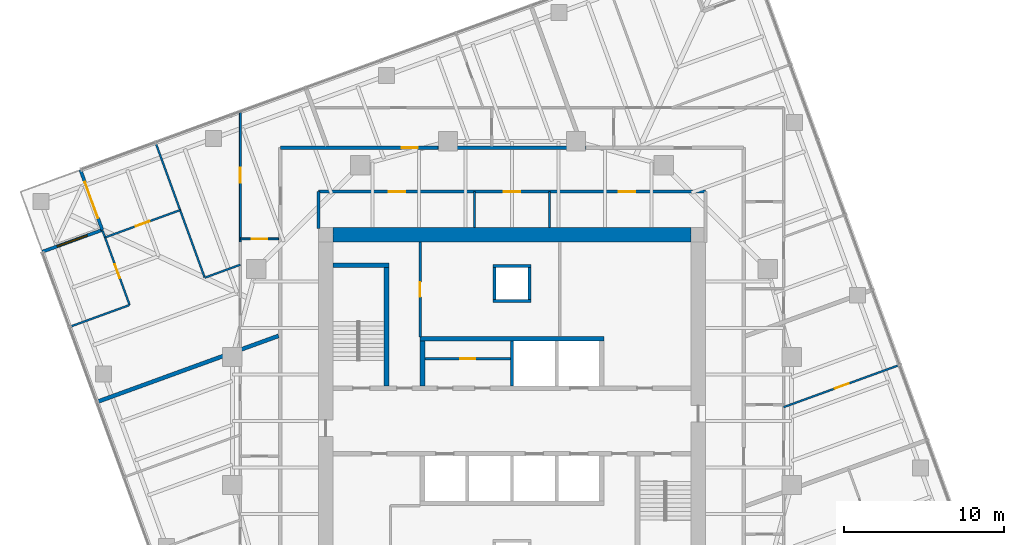
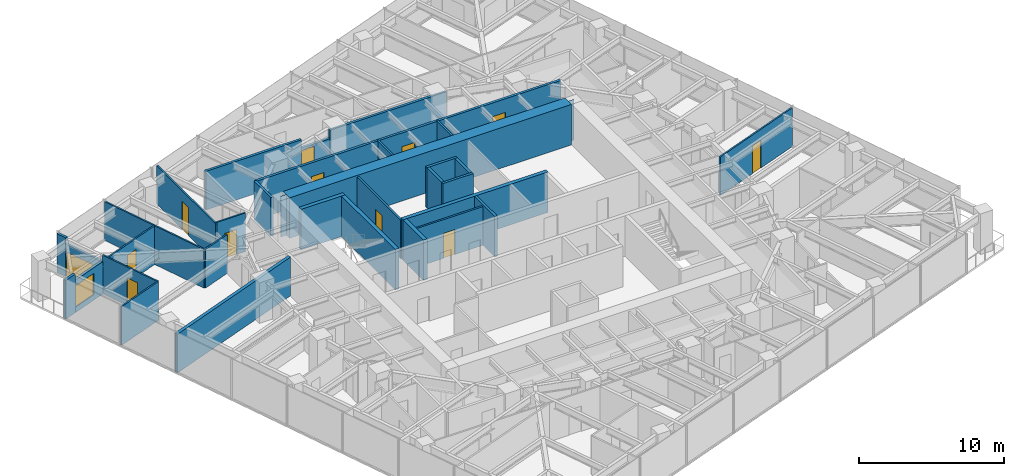
# One storey, part 10 of 13: 32 walls, 12 doors, 1 window, 13 openings.
"""IFC4 building model written with IfcOpenShell, lengths in metres."""

from ifc_helpers import new_model, si_unit, direction, frame, frame_2d, origin, place, context, subcontext, project, spatial, polyline, rectangle, outline, extrude, material, layer, layer_set, type_object, element, fill, save


model = new_model("IFC4")

# Units and contexts
model_context = context("Model", 3, precision=1e-05, world=origin(), true_north=direction((0.0, 1.0)))
body_context = subcontext(model_context, "Body", "Model", "MODEL_VIEW")
ifc_project = project(units=[si_unit("LENGTHUNIT", "METRE"), si_unit("AREAUNIT", "SQUARE_METRE"), si_unit("VOLUMEUNIT", "CUBIC_METRE"), si_unit("PLANEANGLEUNIT", "RADIAN"), si_unit("MASSUNIT", "GRAM", prefix="KILO")], contexts=[model_context])

# Site, building, storey
site_placement = place(None, origin())
site = spatial("IfcSite", under=ifc_project, at=site_placement, CompositionType="ELEMENT")
building_placement = place(site_placement, origin())
building = spatial("IfcBuilding", under=site, at=building_placement, Name="Torsade Residences", CompositionType="ELEMENT")
storey_placement = place(building_placement, frame((0.0, 0.0, 154.0)))
storey = spatial("IfcBuildingStorey", under=building, at=storey_placement, Name="L42", CompositionType="ELEMENT", Elevation=154.0)

# Walls
ifc_material_1 = material(Name="Concrete 80 MPa", Category="concrete")
ifc_layer_1 = layer(ifc_material_1, 0.300048828125)
ifc_layer_set_1 = layer_set([ifc_layer_1], Name="Concrete 80 MPa")
wall_type_1 = type_object("IfcWallType", Name="CORE INTERNAL WALL 300", PredefinedType="SHEAR", material=ifc_layer_set_1)
wall_1_placement = place(storey_placement, frame((34.25, 35.14990234375, 0.0), z_axis=(0.0, 0.0, 1.0), x_axis=(1.0, 0.0, 0.0)))
element("IfcWall", 1, at=wall_1_placement, inside=storey, type_object=wall_type_1, Name="Core wall BN L42", PredefinedType="SHEAR", context=body_context, shape_type="SweptSolid", body=[
    extrude(rectangle(XDim=11.5, YDim=0.300048828125, at=frame_2d((5.75, 0.0))), origin(), (0.0, 0.0, 1.0), 3.39990234375),
])
wall_2_placement = place(storey_placement, frame((34.39990234375, 32.199951171875, 0.0), z_axis=(0.0, 0.0, 1.0), x_axis=(0.0, 1.0, 0.0)))
element("IfcWall", 2, at=wall_2_placement, inside=storey, type_object=wall_type_1, Name="Core wall DN0 L42", PredefinedType="SHEAR", context=body_context, shape_type="SweptSolid", body=[
    extrude(rectangle(XDim=2.800048828125, YDim=0.300048828125, at=frame_2d((1.39990234375, 0.0))), origin(), (0.0, 0.0, 1.0), 3.39990234375),
])
wall_3_placement = place(storey_placement, frame((32.14990234375, 32.199951171875, 0.0), z_axis=(0.0, 0.0, 1.0), x_axis=(0.0, 1.0, 0.0)))
element("IfcWall", 3, at=wall_3_placement, inside=storey, type_object=wall_type_1, Name="Core wall ST1E L42", PredefinedType="SHEAR", context=body_context, shape_type="SweptSolid", body=[
    extrude(rectangle(XDim=7.699951171875, YDim=0.300048828125, at=frame_2d((3.85009765625, 0.0))), origin(), (0.0, 0.0, 1.0), 3.39990234375),
])
wall_4_placement = place(storey_placement, frame((28.800048828125, 39.75, 0.0), z_axis=(0.0, 0.0, 1.0), x_axis=(1.0, 0.0, 0.0)))
element("IfcWall", 4, at=wall_4_placement, inside=storey, type_object=wall_type_1, Name="Core wall ST1N L42", PredefinedType="SHEAR", context=body_context, shape_type="SweptSolid", body=[
    extrude(rectangle(XDim=3.5, YDim=0.300048828125, at=frame_2d((1.75, 0.0))), origin(), (0.0, 0.0, 1.0), 3.39990234375),
])
ifc_material_2 = material(Name="Concrete 80 MPa", Category="concrete")
ifc_layer_2 = layer(ifc_material_2, 0.89990234375)
ifc_layer_set_2 = layer_set([ifc_layer_2], Name="Concrete 80 MPa")
wall_type_2 = type_object("IfcWallType", Name="CORE WALL 900", PredefinedType="SHEAR", material=ifc_layer_set_2)
wall_5_placement = place(storey_placement, frame((28.800048828125, 41.64990234375, 0.0), z_axis=(0.0, 0.0, 1.0), x_axis=(1.0, 0.0, 0.0)))
element("IfcWall", 5, at=wall_5_placement, inside=storey, type_object=wall_type_2, Name="Core wall N L42", PredefinedType="SHEAR", context=body_context, shape_type="SweptSolid", body=[
    extrude(outline(polyline([(0.0, -0.449951171875), (22.39990234375, -0.449951171875), (22.39990234375, -0.02490234375), (22.849853515625, -0.02490234375), (22.849853515625, 0.02490234375), (22.39990234375, 0.02490234375), (22.39990234375, 0.449951171875), (0.0, 0.449951171875), (0.0, 0.02490234375), (-0.449951171875, 0.02490234375), (-0.449951171875, -0.02490234375), (0.0, -0.02490234375), (0.0, -0.449951171875)])), origin(), (0.0, 0.0, 1.0), 3.39990234375),
])
ifc_material_3 = material(Name="Plasterboard on steel stud", Category="steel")
ifc_layer_3 = layer(ifc_material_3, 0.199951171875)
ifc_layer_set_3 = layer_set([ifc_layer_3], Name="Plasterboard on steel stud")
wall_type_3 = type_object("IfcWallType", Name="CORRIDOR WALL 200", PredefinedType="PARTITIONING", material=ifc_layer_set_3)
wall_6_placement = place(storey_placement, frame((44.625, 47.10009765625, 0.0), z_axis=(0.0, 0.0, 1.0), x_axis=(-1.0, 0.0, 0.0)))
element("IfcWall", 6, at=wall_6_placement, inside=storey, type_object=wall_type_3, Name="Corridor wall L42", PredefinedType="PARTITIONING", context=body_context, shape_type="SweptSolid", body=[
    extrude(rectangle(XDim=9.25, YDim=0.199951171875, at=frame_2d((4.625, 0.0))), origin(), (0.0, 0.0, 1.0), 3.25),
])

# Wall, opening, door
wall_7_placement = place(storey_placement, frame((35.375, 47.10009765625, 0.0), z_axis=(0.0, 0.0, 1.0), x_axis=(-1.0, 0.0, 0.0)))
wall_7 = element("IfcWall", 7, at=wall_7_placement, inside=storey, type_object=wall_type_3, Name="Corridor wall L42", PredefinedType="PARTITIONING", context=body_context, shape_type="SweptSolid", body=[
    extrude(rectangle(XDim=2.276611328125, YDim=0.199951171875, at=frame_2d((1.13818359375, 0.0))), origin(), (0.0, 0.0, 1.0), 2.550048828125),
])
opening_1_placement = place(wall_7_placement, frame((1.256591796875, 0.0, 0.0)))
opening_1 = element("IfcOpeningElement", 8, at=opening_1_placement, cuts=wall_7, Name="Opening D01", PredefinedType="OPENING", context=body_context, shape_type="SweptSolid", body=[
    extrude(rectangle(XDim=1.02001953125, YDim=2.340087890625, at=frame_2d((0.510009765625, 1.169921875))), frame((0.0, 0.10986328125, 0.0), z_axis=(0.0, -1.0, 0.0), x_axis=(1.0, 0.0, 0.0)), (0.0, 0.0, 1.0), 0.219970703125),
])
ifc_material_4 = material(Name="Solid-core timber fire door", Category="wood")
door_type_1 = type_object("IfcDoorType", Name="APARTMENT ENTRY DOOR 1020x2340", OperationType="NOTDEFINED", PredefinedType="DOOR", material=ifc_material_4)
door_1_placement = place(opening_1_placement, origin())
door_1 = element("IfcDoor", 9, at=door_1_placement, inside=storey, type_object=door_type_1, Name="Door Residential corridor to Kitchen and dining", OperationType="SINGLE_SWING_LEFT", OverallHeight=2.340087890625, OverallWidth=1.02001953125, PredefinedType="DOOR", context=body_context, shape_type="SweptSolid", body=[
    extrude(rectangle(XDim=1.02001953125, YDim=2.340087890625, at=frame_2d((0.510009765625, 1.169921875))), frame((0.0, 0.02490234375, 0.0), z_axis=(0.0, -1.0, 0.0), x_axis=(1.0, 0.0, 0.0)), (0.0, 0.0, 1.0), 0.050048828125),
])
fill(opening_1, door_1)

# Wall
wall_8_placement = place(storey_placement, frame((33.098388671875, 47.10009765625, 0.0), z_axis=(0.0, 0.0, 1.0), x_axis=(-1.0, 0.0, 0.0)))
element("IfcWall", 10, at=wall_8_placement, inside=storey, type_object=wall_type_3, Name="Corridor wall L42", PredefinedType="PARTITIONING", context=body_context, shape_type="SweptSolid", body=[
    extrude(rectangle(XDim=7.598388671875, YDim=0.199951171875, at=frame_2d((3.79931640625, 0.0))), origin(), (0.0, 0.0, 1.0), 3.25),
])

# Wall, openings, doors
wall_9_placement = place(storey_placement, frame((52.10009765625, 44.35009765625, 0.0), z_axis=(0.0, 0.0, 1.0), x_axis=(-1.0, 0.0, 0.0)))
wall_9 = element("IfcWall", 11, at=wall_9_placement, inside=storey, type_object=wall_type_3, Name="Corridor wall L42", PredefinedType="PARTITIONING", context=body_context, shape_type="SweptSolid", body=[
    extrude(rectangle(XDim=24.2001953125, YDim=0.199951171875, at=frame_2d((12.10009765625, 0.0))), origin(), (0.0, 0.0, 1.0), 3.25),
])
opening_2_placement = place(wall_9_placement, frame((18.788818359375, 0.0, 0.0)))
opening_2 = element("IfcOpeningElement", 12, at=opening_2_placement, cuts=wall_9, Name="Opening D03", PredefinedType="OPENING", context=body_context, shape_type="SweptSolid", body=[
    extrude(rectangle(XDim=1.02001953125, YDim=2.10009765625, at=frame_2d((0.510009765625, 1.050048828125))), frame((0.0, 0.10986328125, 0.0), z_axis=(0.0, -1.0, 0.0), x_axis=(1.0, 0.0, 0.0)), (0.0, 0.0, 1.0), 0.219970703125),
])
opening_3_placement = place(wall_9_placement, frame((4.391357421875, 0.0, 0.0)))
opening_3 = element("IfcOpeningElement", 13, at=opening_3_placement, cuts=wall_9, Name="Opening D03", PredefinedType="OPENING", context=body_context, shape_type="SweptSolid", body=[
    extrude(rectangle(XDim=1.02001953125, YDim=2.10009765625, at=frame_2d((0.510009765625, 1.050048828125))), frame((0.0, 0.10986328125, 0.0), z_axis=(0.0, -1.0, 0.0), x_axis=(1.0, 0.0, 0.0)), (0.0, 0.0, 1.0), 0.219970703125),
])
opening_4_placement = place(wall_9_placement, frame((11.590087890625, 0.0, 0.0)))
opening_4 = element("IfcOpeningElement", 14, at=opening_4_placement, cuts=wall_9, Name="Opening D03", PredefinedType="OPENING", context=body_context, shape_type="SweptSolid", body=[
    extrude(rectangle(XDim=1.02001953125, YDim=2.10009765625, at=frame_2d((0.510009765625, 1.050048828125))), frame((0.0, 0.10986328125, 0.0), z_axis=(0.0, -1.0, 0.0), x_axis=(1.0, 0.0, 0.0)), (0.0, 0.0, 1.0), 0.219970703125),
])
ifc_material_5 = material(Name="Steel-framed fire door", Category="steel")
door_type_2 = type_object("IfcDoorType", Name="FIRE DOOR 1020", OperationType="NOTDEFINED", PredefinedType="DOOR", material=ifc_material_5)
door_2_placement = place(opening_2_placement, origin())
door_2 = element("IfcDoor", 15, at=door_2_placement, inside=storey, type_object=door_type_2, Name="Door Residential corridor to Residents storage", OperationType="SINGLE_SWING_RIGHT", OverallHeight=2.10009765625, OverallWidth=1.02001953125, PredefinedType="DOOR", context=body_context, shape_type="SweptSolid", body=[
    extrude(rectangle(XDim=1.02001953125, YDim=2.10009765625, at=frame_2d((0.510009765625, 1.050048828125))), frame((0.0, 0.02490234375, 0.0), z_axis=(0.0, -1.0, 0.0), x_axis=(1.0, 0.0, 0.0)), (0.0, 0.0, 1.0), 0.050048828125),
])
fill(opening_2, door_2)
door_3_placement = place(opening_3_placement, origin())
door_3 = element("IfcDoor", 16, at=door_3_placement, inside=storey, type_object=door_type_2, Name="Door Residential corridor to Parcel room", OperationType="SINGLE_SWING_LEFT", OverallHeight=2.10009765625, OverallWidth=1.02001953125, PredefinedType="DOOR", context=body_context, shape_type="SweptSolid", body=[
    extrude(rectangle(XDim=1.02001953125, YDim=2.10009765625, at=frame_2d((0.510009765625, 1.050048828125))), frame((0.0, 0.02490234375, 0.0), z_axis=(0.0, -1.0, 0.0), x_axis=(1.0, 0.0, 0.0)), (0.0, 0.0, 1.0), 0.050048828125),
])
fill(opening_3, door_3)
door_4_placement = place(opening_4_placement, origin())
door_4 = element("IfcDoor", 17, at=door_4_placement, inside=storey, type_object=door_type_2, Name="Door Residential corridor to Bulk store", OperationType="SINGLE_SWING_RIGHT", OverallHeight=2.10009765625, OverallWidth=1.02001953125, PredefinedType="DOOR", context=body_context, shape_type="SweptSolid", body=[
    extrude(rectangle(XDim=1.02001953125, YDim=2.10009765625, at=frame_2d((0.510009765625, 1.050048828125))), frame((0.0, 0.02490234375, 0.0), z_axis=(0.0, -1.0, 0.0), x_axis=(1.0, 0.0, 0.0)), (0.0, 0.0, 1.0), 0.050048828125),
])
fill(opening_4, door_4)

# Walls
wall_10_placement = place(storey_placement, frame((27.89990234375, 44.35009765625, 0.0), z_axis=(0.0, 0.0, 1.0), x_axis=(0.0, -1.0, 0.0)))
element("IfcWall", 18, at=wall_10_placement, inside=storey, type_object=wall_type_3, Name="Corridor wall L42", PredefinedType="PARTITIONING", context=body_context, shape_type="SweptSolid", body=[
    extrude(rectangle(XDim=2.300048828125, YDim=0.199951171875, at=frame_2d((1.14990234375, 0.0))), origin(), (0.0, 0.0, 1.0), 3.25),
])
ifc_material_6 = material(Name="Reinforced blockwork", Category="masonry")
ifc_layer_4 = layer(ifc_material_6, 0.199951171875)
ifc_layer_set_4 = layer_set([ifc_layer_4], Name="Reinforced blockwork")
wall_type_4 = type_object("IfcWallType", Name="LIFT SHAFT DIVIDING WALL 200", PredefinedType="SOLIDWALL", material=ifc_layer_set_4)
wall_11_placement = place(storey_placement, frame((40.0, 32.199951171875, 0.0), z_axis=(0.0, 0.0, 1.0), x_axis=(0.0, 1.0, 0.0)))
element("IfcWall", 19, at=wall_11_placement, inside=storey, type_object=wall_type_4, Name="Core wall DN2 L42", PredefinedType="SOLIDWALL", context=body_context, shape_type="SweptSolid", body=[
    extrude(rectangle(XDim=2.800048828125, YDim=0.199951171875, at=frame_2d((1.39990234375, 0.0))), origin(), (0.0, 0.0, 1.0), 3.39990234375),
])

# Wall, opening, door
ifc_material_7 = material(Name="Plasterboard on steel stud", Category="steel")
ifc_layer_5 = layer(ifc_material_7, 0.1201171875)
ifc_layer_set_5 = layer_set([ifc_layer_5], Name="Plasterboard on steel stud")
wall_type_5 = type_object("IfcWallType", Name="PARTITION 120", PredefinedType="PARTITIONING", material=ifc_layer_set_5)
wall_12_placement = place(storey_placement, frame((57.0, 30.866455078125, 0.0), z_axis=(0.0, 0.0, 1.0), x_axis=(0.939685835373, 0.342038785519, 0.0)))
wall_12 = element("IfcWall", 20, at=wall_12_placement, inside=storey, type_object=wall_type_5, Name="Partition L42", PredefinedType="PARTITIONING", context=body_context, shape_type="SweptSolid", body=[
    extrude(rectangle(XDim=7.68896484375, YDim=0.1201171875, at=frame_2d((3.844482421875, 0.0))), origin(), (0.0, 0.0, 1.0), 3.25),
])
opening_5_placement = place(wall_12_placement, frame((3.404296875, 0.0, 0.0)))
opening_5 = element("IfcOpeningElement", 21, at=opening_5_placement, cuts=wall_12, Name="Opening D02", PredefinedType="OPENING", context=body_context, shape_type="SweptSolid", body=[
    extrude(rectangle(XDim=0.919921875, YDim=2.340087890625, at=frame_2d((0.4599609375, 1.169921875))), frame((0.0, 0.070068359375, 0.0), z_axis=(0.0, -1.0, 0.0), x_axis=(1.0, 0.0, 0.0)), (0.0, 0.0, 1.0), 0.14013671875),
])
ifc_material_8 = material(Name="Hollow-core timber door", Category="wood")
door_type_3 = type_object("IfcDoorType", Name="INTERNAL DOOR 920x2340", OperationType="NOTDEFINED", PredefinedType="DOOR", material=ifc_material_8)
door_5_placement = place(opening_5_placement, origin())
door_5 = element("IfcDoor", 22, at=door_5_placement, inside=storey, type_object=door_type_3, Name="Door Living room to Bedroom 1", OperationType="SINGLE_SWING_LEFT", OverallHeight=2.340087890625, OverallWidth=0.919921875, PredefinedType="DOOR", context=body_context, shape_type="SweptSolid", body=[
    extrude(rectangle(XDim=0.919921875, YDim=2.340087890625, at=frame_2d((0.4599609375, 1.169921875))), frame((0.0, 0.02490234375, 0.0), z_axis=(0.0, -1.0, 0.0), x_axis=(1.0, 0.0, 0.0)), (0.0, 0.0, 1.0), 0.050048828125),
])
fill(opening_5, door_5)

wall_13_placement = place(storey_placement, frame((25.39990234375, 41.389892578125, 0.0), z_axis=(0.0, 0.0, 1.0), x_axis=(-1.0, 0.0, 0.0)))
wall_13 = element("IfcWall", 23, at=wall_13_placement, inside=storey, type_object=wall_type_5, Name="Partition L42", PredefinedType="PARTITIONING", context=body_context, shape_type="SweptSolid", body=[
    extrude(rectangle(XDim=2.39990234375, YDim=0.1201171875, at=frame_2d((1.199951171875, 0.0))), origin(), (0.0, 0.0, 1.0), 3.25),
])
opening_6_placement = place(wall_13_placement, frame((0.719970703125, 0.0, 0.0)))
opening_6 = element("IfcOpeningElement", 24, at=opening_6_placement, cuts=wall_13, Name="Opening D05", PredefinedType="OPENING", context=body_context, shape_type="SweptSolid", body=[
    extrude(rectangle(XDim=0.9599609375, YDim=2.10009765625, at=frame_2d((0.47998046875, 1.050048828125))), frame((0.0, 0.070068359375, 0.0), z_axis=(0.0, -1.0, 0.0), x_axis=(1.0, 0.0, 0.0)), (0.0, 0.0, 1.0), 0.14013671875),
])
ifc_material_9 = material(Name="Hollow-core timber door in a steel cavity frame", Category="steel")
door_type_4 = type_object("IfcDoorType", Name="BATHROOM CAVITY SLIDING DOOR 960", OperationType="SLIDING_TO_LEFT", PredefinedType="DOOR", material=ifc_material_9)
door_6_placement = place(opening_6_placement, origin())
door_6 = element("IfcDoor", 25, at=door_6_placement, inside=storey, type_object=door_type_4, Name="Door Kitchen and dining to Bathroom", OperationType="SLIDING_TO_LEFT", OverallHeight=2.10009765625, OverallWidth=0.9599609375, PredefinedType="DOOR", context=body_context, shape_type="SweptSolid", body=[
    extrude(rectangle(XDim=0.9599609375, YDim=2.10009765625, at=frame_2d((0.47998046875, 1.050048828125))), frame((0.0, 0.02490234375, 0.0), z_axis=(0.0, -1.0, 0.0), x_axis=(1.0, 0.0, 0.0)), (0.0, 0.0, 1.0), 0.050048828125),
])
fill(opening_6, door_6)

# Walls
wall_14_placement = place(storey_placement, frame((17.709716796875, 47.384765625, 0.0), z_axis=(0.0, 0.0, 1.0), x_axis=(0.342034340019, -0.939687453491, 0.0)))
element("IfcWall", 26, at=wall_14_placement, inside=storey, type_object=wall_type_5, Name="Partition L42", PredefinedType="PARTITIONING", context=body_context, shape_type="SweptSolid", body=[
    extrude(rectangle(XDim=8.9501953125, YDim=0.1201171875, at=frame_2d((4.47509765625, 0.0))), origin(), (0.0, 0.0, 1.0), 3.25),
])
wall_15_placement = place(storey_placement, frame((20.78369140625, 38.968505859375, 0.0), z_axis=(0.0, 0.0, 1.0), x_axis=(0.939696672396, 0.342009011412, 0.0)))
element("IfcWall", 27, at=wall_15_placement, inside=storey, type_object=wall_type_5, Name="Partition L42", PredefinedType="PARTITIONING", context=body_context, shape_type="SweptSolid", body=[
    extrude(rectangle(XDim=2.358642578125, YDim=0.1201171875, at=frame_2d((1.17919921875, 0.0))), origin(), (0.0, 0.0, 1.0), 3.25),
])

# Wall, opening, door
wall_16_placement = place(storey_placement, frame((14.536865234375, 41.483642578125, 0.0), z_axis=(0.0, 0.0, 1.0), x_axis=(0.939696437289, 0.342009657388, 0.0)))
wall_16 = element("IfcWall", 28, at=wall_16_placement, inside=storey, type_object=wall_type_5, Name="Partition L42", PredefinedType="PARTITIONING", context=body_context, shape_type="SweptSolid", body=[
    extrude(rectangle(XDim=4.999755859375, YDim=0.1201171875, at=frame_2d((2.5, 0.0))), origin(), (0.0, 0.0, 1.0), 3.25),
])
opening_7_placement = place(wall_16_placement, frame((2.039794921875, 0.0, 0.0)))
opening_7 = element("IfcOpeningElement", 29, at=opening_7_placement, cuts=wall_16, Name="Opening D02", PredefinedType="OPENING", context=body_context, shape_type="SweptSolid", body=[
    extrude(rectangle(XDim=0.919921875, YDim=2.340087890625, at=frame_2d((0.4599609375, 1.169921875))), frame((0.0, 0.070068359375, 0.0), z_axis=(0.0, -1.0, 0.0), x_axis=(1.0, 0.0, 0.0)), (0.0, 0.0, 1.0), 0.14013671875),
])
door_7_placement = place(opening_7_placement, origin())
door_7 = element("IfcDoor", 30, at=door_7_placement, inside=storey, type_object=door_type_3, Name="Door Living room to Bedroom 2", OperationType="SINGLE_SWING_LEFT", OverallHeight=2.340087890625, OverallWidth=0.919921875, PredefinedType="DOOR", context=body_context, shape_type="SweptSolid", body=[
    extrude(rectangle(XDim=0.919921875, YDim=2.340087890625, at=frame_2d((0.4599609375, 1.169921875))), frame((0.0, 0.02490234375, 0.0), z_axis=(0.0, -1.0, 0.0), x_axis=(1.0, 0.0, 0.0)), (0.0, 0.0, 1.0), 0.050048828125),
])
fill(opening_7, door_7)

# Wall
wall_17_placement = place(storey_placement, frame((12.354736328125, 35.900634765625, 0.0), z_axis=(0.0, 0.0, 1.0), x_axis=(0.939701350773, 0.341996156931, 0.0)))
element("IfcWall", 31, at=wall_17_placement, inside=storey, type_object=wall_type_5, Name="Partition L42", PredefinedType="PARTITIONING", context=body_context, shape_type="SweptSolid", body=[
    extrude(rectangle(XDim=3.949951171875, YDim=0.1201171875, at=frame_2d((1.97509765625, 0.0))), origin(), (0.0, 0.0, 1.0), 3.25),
])

# Wall, opening, door
wall_18_placement = place(storey_placement, frame((16.072509765625, 37.264404296875, 0.0), z_axis=(0.0, 0.0, 1.0), x_axis=(-0.34204797738, 0.939682489552, 0.0)))
wall_18 = element("IfcWall", 32, at=wall_18_placement, inside=storey, type_object=wall_type_5, Name="Partition L42", PredefinedType="PARTITIONING", context=body_context, shape_type="SweptSolid", body=[
    extrude(rectangle(XDim=4.949951171875, YDim=0.1201171875, at=frame_2d((2.47509765625, 0.0))), origin(), (0.0, 0.0, 1.0), 3.25),
])
opening_8_placement = place(wall_18_placement, frame((1.784912109375, 0.0, 0.0)))
opening_8 = element("IfcOpeningElement", 33, at=opening_8_placement, cuts=wall_18, Name="Opening D02", PredefinedType="OPENING", context=body_context, shape_type="SweptSolid", body=[
    extrude(rectangle(XDim=0.919921875, YDim=2.340087890625, at=frame_2d((0.4599609375, 1.169921875))), frame((0.0, 0.070068359375, 0.0), z_axis=(0.0, -1.0, 0.0), x_axis=(1.0, 0.0, 0.0)), (0.0, 0.0, 1.0), 0.14013671875),
])
door_8_placement = place(opening_8_placement, origin())
door_8 = element("IfcDoor", 34, at=door_8_placement, inside=storey, type_object=door_type_3, Name="Door Living room to Bedroom 3", OperationType="SINGLE_SWING_LEFT", OverallHeight=2.340087890625, OverallWidth=0.919921875, PredefinedType="DOOR", context=body_context, shape_type="SweptSolid", body=[
    extrude(rectangle(XDim=0.919921875, YDim=2.340087890625, at=frame_2d((0.4599609375, 1.169921875))), frame((0.0, 0.02490234375, 0.0), z_axis=(0.0, -1.0, 0.0), x_axis=(1.0, 0.0, 0.0)), (0.0, 0.0, 1.0), 0.050048828125),
])
fill(opening_8, door_8)

wall_19_placement = place(storey_placement, frame((23.0, 41.212158203125, 0.0), z_axis=(0.0, 0.0, 1.0), x_axis=(0.0, 1.0, 0.0)))
wall_19 = element("IfcWall", 35, at=wall_19_placement, inside=storey, type_object=wall_type_5, Name="Partition L42", PredefinedType="PARTITIONING", context=body_context, shape_type="SweptSolid", body=[
    extrude(rectangle(XDim=8.09814453125, YDim=0.1201171875, at=frame_2d((4.049072265625, 0.0))), origin(), (0.0, 0.0, 1.0), 3.25),
])
opening_9_placement = place(wall_19_placement, frame((3.69921875, 0.0, 0.0)))
opening_9 = element("IfcOpeningElement", 36, at=opening_9_placement, cuts=wall_19, Name="Opening D02", PredefinedType="OPENING", context=body_context, shape_type="SweptSolid", body=[
    extrude(rectangle(XDim=0.919921875, YDim=2.340087890625, at=frame_2d((0.4599609375, 1.169921875))), frame((0.0, 0.070068359375, 0.0), z_axis=(0.0, -1.0, 0.0), x_axis=(1.0, 0.0, 0.0)), (0.0, 0.0, 1.0), 0.14013671875),
])
door_9_placement = place(opening_9_placement, origin())
door_9 = element("IfcDoor", 37, at=door_9_placement, inside=storey, type_object=door_type_3, Name="Door Kitchen and dining to Bedroom 1", OperationType="SINGLE_SWING_RIGHT", OverallHeight=2.340087890625, OverallWidth=0.919921875, PredefinedType="DOOR", context=body_context, shape_type="SweptSolid", body=[
    extrude(rectangle(XDim=0.919921875, YDim=2.340087890625, at=frame_2d((0.4599609375, 1.169921875))), frame((0.0, 0.02490234375, 0.0), z_axis=(0.0, -1.0, 0.0), x_axis=(1.0, 0.0, 0.0)), (0.0, 0.0, 1.0), 0.050048828125),
])
fill(opening_9, door_9)

# Walls
ifc_material_10 = material(Name="Masonry-lined stud party wall", Category="masonry")
ifc_layer_6 = layer(ifc_material_10, 0.25)
ifc_layer_set_6 = layer_set([ifc_layer_6], Name="Masonry-lined stud party wall")
wall_type_6 = type_object("IfcWallType", Name="PARTY WALL 250", PredefinedType="PARTITIONING", material=ifc_layer_set_6)
wall_20_placement = place(storey_placement, frame((14.027099609375, 31.1884765625, 0.0), z_axis=(0.0, 0.0, 1.0), x_axis=(0.939693801585, 0.342016899091, 0.0)))
element("IfcWall", 38, at=wall_20_placement, inside=storey, type_object=wall_type_6, Name="Party wall L42", PredefinedType="PARTITIONING", context=body_context, shape_type="SweptSolid", body=[
    extrude(rectangle(XDim=12.09716796875, YDim=0.25, at=frame_2d((6.048583984375, 0.0))), origin(), (0.0, 0.0, 1.0), 3.25),
])
ifc_material_11 = material(Name="Reinforced blockwork", Category="masonry")
ifc_layer_7 = layer(ifc_material_11, 0.199951171875)
ifc_layer_set_7 = layer_set([ifc_layer_7], Name="Reinforced blockwork")
wall_type_7 = type_object("IfcWallType", Name="RISER SHAFT WALL 200", PredefinedType="SOLIDWALL", material=ifc_layer_set_7)
for number, where, z_axis, x_axis, name in (
    (39, (38.89990234375, 37.60009765625, 0.0), (0.0, 0.0, 1.0), (0.0, 1.0, 0.0), "Core wall RS1a L42"),
    (40, (41.10009765625, 37.60009765625, 0.0), (0.0, 0.0, 1.0), (0.0, 1.0, 0.0), "Core wall RS1b L42"),
):
    element("IfcWall", number, at=place(storey_placement, frame(where, z_axis=z_axis, x_axis=x_axis)), inside=storey, type_object=wall_type_7, Name=name, PredefinedType="SOLIDWALL", context=body_context, shape_type="SweptSolid", body=[
        extrude(rectangle(XDim=2.0, YDim=0.199951171875, at=frame_2d((1.0, 0.0))), origin(), (0.0, 0.0, 1.0), 3.39990234375),
    ])
for number, where, z_axis, x_axis, name in (
    (41, (38.800048828125, 37.5, 0.0), (0.0, 0.0, 1.0), (1.0, 0.0, 0.0), "Core wall RS1c L42"),
    (42, (38.800048828125, 39.699951171875, 0.0), (0.0, 0.0, 1.0), (1.0, 0.0, 0.0), "Core wall RS1d L42"),
):
    element("IfcWall", number, at=place(storey_placement, frame(where, z_axis=z_axis, x_axis=x_axis)), inside=storey, type_object=wall_type_7, Name=name, PredefinedType="SOLIDWALL", context=body_context, shape_type="SweptSolid", body=[
        extrude(rectangle(XDim=2.39990234375, YDim=0.199951171875, at=frame_2d((1.199951171875, 0.0))), origin(), (0.0, 0.0, 1.0), 3.39990234375),
    ])

# Wall, opening, door
ifc_material_12 = material(Name="Reinforced blockwork", Category="masonry")
ifc_layer_8 = layer(ifc_material_12, 0.14990234375)
ifc_layer_set_8 = layer_set([ifc_layer_8], Name="Reinforced blockwork")
wall_type_8 = type_object("IfcWallType", Name="SERVICE ROOM WALL 150", PredefinedType="SOLIDWALL", material=ifc_layer_set_8)
wall_21_placement = place(storey_placement, frame((34.25, 41.199951171875, 0.0), z_axis=(0.0, 0.0, 1.0), x_axis=(0.0, -1.0, 0.0)))
wall_21 = element("IfcWall", 43, at=wall_21_placement, inside=storey, type_object=wall_type_8, Name="Service room wall L42", PredefinedType="SOLIDWALL", context=body_context, shape_type="SweptSolid", body=[
    extrude(rectangle(XDim=5.949951171875, YDim=0.14990234375, at=frame_2d((2.97509765625, 0.0))), origin(), (0.0, 0.0, 1.0), 3.25),
])
opening_10_placement = place(wall_21_placement, frame((2.514892578125, 0.0, 0.0)))
opening_10 = element("IfcOpeningElement", 44, at=opening_10_placement, cuts=wall_21, Name="Opening D06", PredefinedType="OPENING", context=body_context, shape_type="SweptSolid", body=[
    extrude(rectangle(XDim=0.919921875, YDim=2.10009765625, at=frame_2d((0.4599609375, 1.050048828125))), frame((0.0, 0.0849609375, 0.0), z_axis=(0.0, -1.0, 0.0), x_axis=(1.0, 0.0, 0.0)), (0.0, 0.0, 1.0), 0.169921875),
])
ifc_material_13 = material(Name="Steel-framed fire door", Category="steel")
door_type_5 = type_object("IfcDoorType", Name="FIRE DOOR 920", OperationType="NOTDEFINED", PredefinedType="DOOR", material=ifc_material_13)
door_10_placement = place(opening_10_placement, origin())
door_10 = element("IfcDoor", 45, at=door_10_placement, inside=storey, type_object=door_type_5, Name="Door Meter store to Electrical riser room", OperationType="SINGLE_SWING_RIGHT", OverallHeight=2.10009765625, OverallWidth=0.919921875, PredefinedType="DOOR", context=body_context, shape_type="SweptSolid", body=[
    extrude(rectangle(XDim=0.919921875, YDim=2.10009765625, at=frame_2d((0.4599609375, 1.050048828125))), frame((0.0, 0.02490234375, 0.0), z_axis=(0.0, -1.0, 0.0), x_axis=(1.0, 0.0, 0.0)), (0.0, 0.0, 1.0), 0.050048828125),
])
fill(opening_10, door_10)

# Walls
for number, where, z_axis, x_axis, name in (
    (46, (37.652587890625, 42.10009765625, 0.0), (0.0, 0.0, 1.0), (0.0, 1.0, 0.0), "Service room wall L42"),
    (47, (42.347412109375, 42.10009765625, 0.0), (0.0, 0.0, 1.0), (0.0, 1.0, 0.0), "Service room wall L42"),
):
    element("IfcWall", number, at=place(storey_placement, frame(where, z_axis=z_axis, x_axis=x_axis)), inside=storey, type_object=wall_type_8, Name=name, PredefinedType="SOLIDWALL", context=body_context, shape_type="SweptSolid", body=[
        extrude(rectangle(XDim=2.25, YDim=0.14990234375, at=frame_2d((1.125, 0.0))), origin(), (0.0, 0.0, 1.0), 3.25),
    ])

# Wall, opening, door
wall_22_placement = place(storey_placement, frame((34.550048828125, 33.89990234375, 0.0), z_axis=(0.0, 0.0, 1.0), x_axis=(1.0, 0.0, 0.0)))
wall_22 = element("IfcWall", 48, at=wall_22_placement, inside=storey, type_object=wall_type_8, Name="Service room wall L42", PredefinedType="SOLIDWALL", context=body_context, shape_type="SweptSolid", body=[
    extrude(rectangle(XDim=5.349853515625, YDim=0.14990234375, at=frame_2d((2.6748046875, 0.0))), origin(), (0.0, 0.0, 1.0), 3.25),
])
opening_11_placement = place(wall_22_placement, frame((2.215087890625, 0.0, 0.0)))
opening_11 = element("IfcOpeningElement", 49, at=opening_11_placement, cuts=wall_22, Name="Opening D06", PredefinedType="OPENING", context=body_context, shape_type="SweptSolid", body=[
    extrude(rectangle(XDim=0.919921875, YDim=2.10009765625, at=frame_2d((0.4599609375, 1.050048828125))), frame((0.0, 0.0849609375, 0.0), z_axis=(0.0, -1.0, 0.0), x_axis=(1.0, 0.0, 0.0)), (0.0, 0.0, 1.0), 0.169921875),
])
door_11_placement = place(opening_11_placement, origin())
door_11 = element("IfcDoor", 50, at=door_11_placement, inside=storey, type_object=door_type_5, Name="Door Linen store L42A to Equipment store L42B", OperationType="SINGLE_SWING_RIGHT", OverallHeight=2.10009765625, OverallWidth=0.919921875, PredefinedType="DOOR", context=body_context, shape_type="SweptSolid", body=[
    extrude(rectangle(XDim=0.919921875, YDim=2.10009765625, at=frame_2d((0.4599609375, 1.050048828125))), frame((0.0, 0.02490234375, 0.0), z_axis=(0.0, -1.0, 0.0), x_axis=(1.0, 0.0, 0.0)), (0.0, 0.0, 1.0), 0.050048828125),
])
fill(opening_11, door_11)

# Wall
ifc_material_14 = material(Name="Stone-faced precast concrete 40 MPa panel", Category="masonry")
ifc_layer_9 = layer(ifc_material_14, 0.199951171875)
ifc_layer_set_9 = layer_set([ifc_layer_9], Name="Stone-faced precast concrete 40 MPa panel")
wall_type_9 = type_object("IfcWallType", Name="TERRACE WALL 200", PredefinedType="SOLIDWALL", material=ifc_layer_set_9)
wall_23_placement = place(storey_placement, frame((12.99755859375, 45.712158203125, 0.0), z_axis=(0.0, 0.0, 1.0), x_axis=(0.342110593602, -0.939659694648, 0.0)))
element("IfcWall", 51, at=wall_23_placement, inside=storey, type_object=wall_type_9, Name="Terrace wall L42 8", PredefinedType="SOLIDWALL", context=body_context, shape_type="SweptSolid", body=[
    extrude(rectangle(XDim=0.800048828125, YDim=0.199951171875, at=frame_2d((0.39990234375, 0.0))), origin(), (0.0, 0.0, 1.0), 3.25),
])

# Wall, opening, door
wall_24_placement = place(storey_placement, frame((13.271240234375, 44.96044921875, 0.0), z_axis=(0.0, 0.0, 1.0), x_axis=(0.342018703306, -0.939693144909, 0.0)))
wall_24 = element("IfcWall", 52, at=wall_24_placement, inside=storey, type_object=wall_type_9, Name="Terrace wall L42 8", PredefinedType="SOLIDWALL", context=body_context, shape_type="SweptSolid", body=[
    extrude(rectangle(XDim=3.199951171875, YDim=0.199951171875, at=frame_2d((1.60009765625, 0.0))), origin(), (0.0, 0.0, 1.0), 2.720947265625),
])
opening_12_placement = place(wall_24_placement, origin())
opening_12 = element("IfcOpeningElement", 53, at=opening_12_placement, cuts=wall_24, Name="Opening D10A", PredefinedType="OPENING", context=body_context, shape_type="SweptSolid", body=[
    extrude(rectangle(XDim=2.39990234375, YDim=2.10009765625, at=frame_2d((1.199951171875, 1.050048828125))), frame((0.0, 0.10986328125, 0.0), z_axis=(0.0, -1.0, 0.0), x_axis=(1.0, 0.0, 0.0)), (0.0, 0.0, 1.0), 0.219970703125),
])
ifc_material_15 = material(Name="Aluminium-framed glass door", Category="aluminium")
door_type_6 = type_object("IfcDoorType", Name="TERRACE SLIDING DOOR 2400x2100", OperationType="SLIDING_TO_LEFT", PredefinedType="DOOR", material=ifc_material_15)
door_12_placement = place(opening_12_placement, origin())
door_12 = element("IfcDoor", 54, at=door_12_placement, inside=storey, type_object=door_type_6, Name="Terrace door L42 8", OperationType="SLIDING_TO_LEFT", OverallHeight=2.10009765625, OverallWidth=2.39990234375, PredefinedType="DOOR", context=body_context, shape_type="SweptSolid", body=[
    extrude(rectangle(XDim=2.39990234375, YDim=2.10009765625, at=frame_2d((1.199951171875, 1.050048828125))), frame((0.0, 0.02490234375, 0.0), z_axis=(0.0, -1.0, 0.0), x_axis=(1.0, 0.0, 0.0)), (0.0, 0.0, 1.0), 0.050048828125),
])
fill(opening_12, door_12)

# Wall, opening, window
wall_25_placement = place(storey_placement, frame((14.36572265625, 41.953369140625, 0.0), z_axis=(0.0, 0.0, 1.0), x_axis=(-0.939712609717, -0.341965219194, 0.0)))
wall_25 = element("IfcWall", 55, at=wall_25_placement, inside=storey, type_object=wall_type_9, Name="Terrace wall L42 9", PredefinedType="SOLIDWALL", context=body_context, shape_type="SweptSolid", body=[
    extrude(rectangle(XDim=3.0, YDim=0.199951171875, at=frame_2d((1.5, 0.0))), origin(), (0.0, 0.0, 1.0), 2.720947265625),
])
opening_13_placement = place(wall_25_placement, frame((1.0, 0.0, 0.449951171875)))
opening_13 = element("IfcOpeningElement", 56, at=opening_13_placement, cuts=wall_25, Name="Opening W1B", PredefinedType="OPENING", context=body_context, shape_type="SweptSolid", body=[
    extrude(rectangle(XDim=2.0, YDim=1.800048828125, at=frame_2d((1.0, 0.89990234375))), frame((0.0, 0.10986328125, 0.0), z_axis=(0.0, -1.0, 0.0), x_axis=(1.0, 0.0, 0.0)), (0.0, 0.0, 1.0), 0.219970703125),
])
ifc_material_16 = material(Name="Aluminium-framed glass window", Category="aluminium")
window_type = type_object("IfcWindowType", Name="TERRACE WINDOW 2000x1800", PartitioningType="SINGLE_PANEL", PredefinedType="WINDOW", material=ifc_material_16)
window_placement = place(opening_13_placement, origin())
window = element("IfcWindow", 57, at=window_placement, inside=storey, type_object=window_type, Name="Terrace window L42 9", OverallHeight=1.800048828125, OverallWidth=2.0, PartitioningType="SINGLE_PANEL", PredefinedType="WINDOW", context=body_context, shape_type="SweptSolid", body=[
    extrude(rectangle(XDim=2.0, YDim=1.800048828125, at=frame_2d((1.0, 0.89990234375))), frame((0.0, 0.030029296875, 0.0), z_axis=(0.0, -1.0, 0.0), x_axis=(1.0, 0.0, 0.0)), (0.0, 0.0, 1.0), 0.06005859375),
])
fill(opening_13, window)

# Wall
wall_26_placement = place(storey_placement, frame((11.546630859375, 40.927490234375, 0.0), z_axis=(0.0, 0.0, 1.0), x_axis=(-0.939686455819, -0.342037080957, 0.0)))
element("IfcWall", 58, at=wall_26_placement, inside=storey, type_object=wall_type_9, Name="Terrace wall L42 9", PredefinedType="SOLIDWALL", context=body_context, shape_type="SweptSolid", body=[
    extrude(rectangle(XDim=1.0, YDim=0.199951171875, at=frame_2d((0.5, 0.0))), origin(), (0.0, 0.0, 1.0), 3.25),
])

save(model, "model.ifc")
